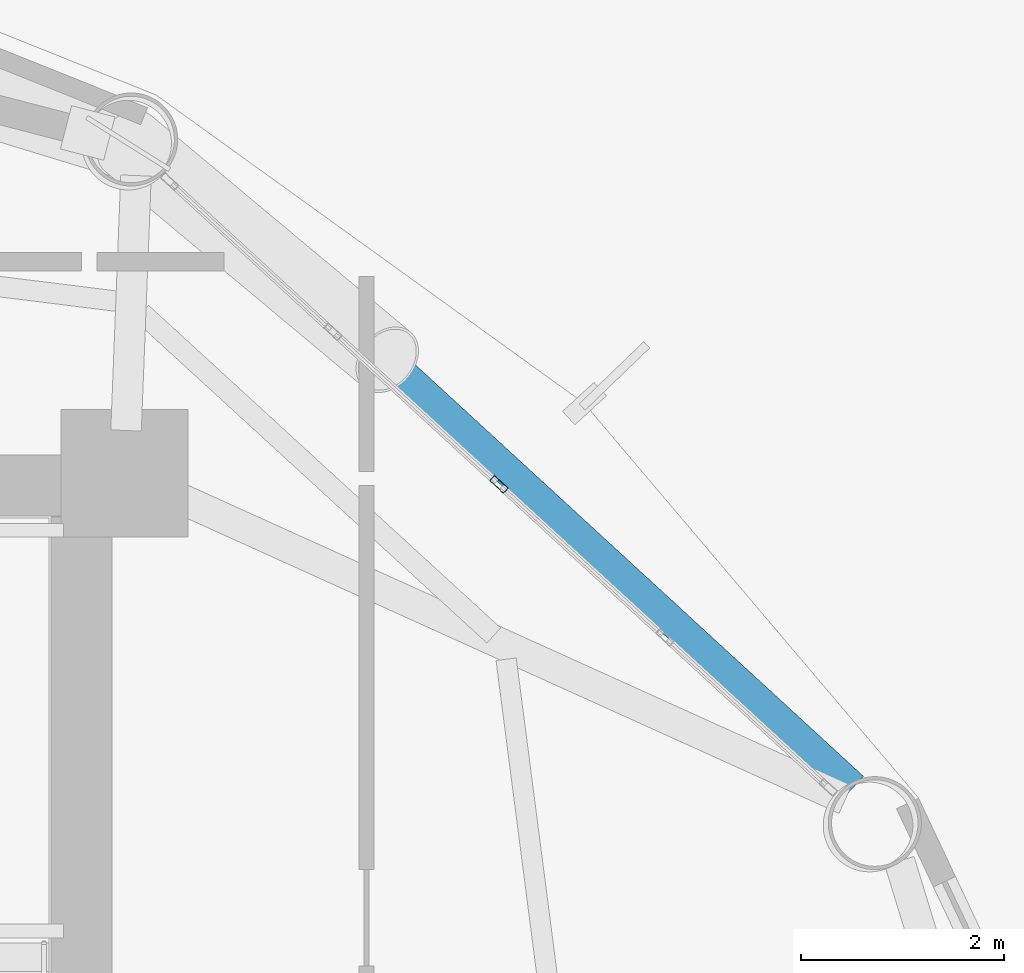
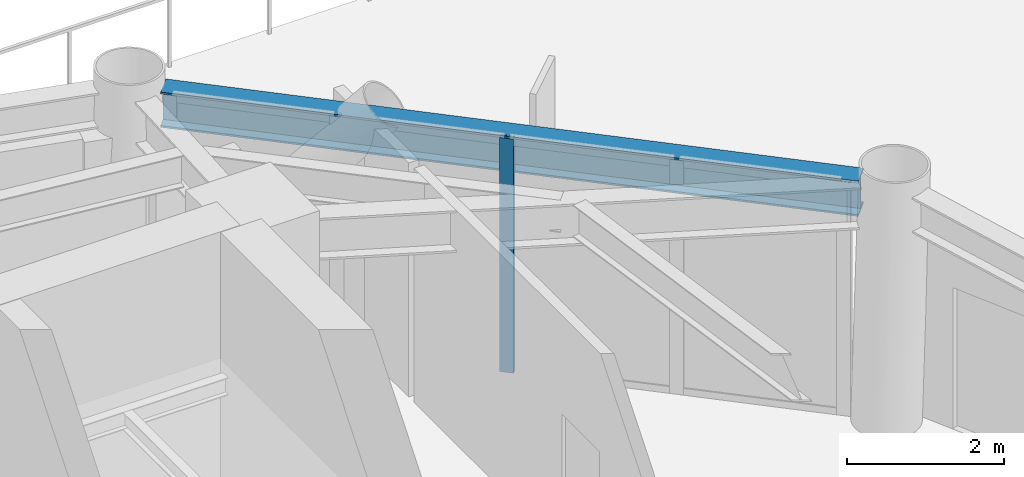
# One storey, part 18 of 24: 1 beam, 1 member, 1 element without a shape of its own.
"""IFC4 building model written with IfcOpenShell, lengths in metres."""

from ifc_helpers import new_model, si_unit, direction, frame, origin, origin_2d, place, context, subcontext, project, spatial, hollow_rectangle, i_section, extrude, material, layer, layer_set, material_profile, profile_set, type_object, element, aggregate, save


model = new_model("IFC4")

# Units and contexts
model_context = context("Model", 3, precision=1e-05, world=origin(), true_north=direction((0.0, 1.0)))
body_context = subcontext(model_context, "Body", "Model", "MODEL_VIEW")
ifc_project = project(units=[si_unit("LENGTHUNIT", "METRE"), si_unit("AREAUNIT", "SQUARE_METRE"), si_unit("VOLUMEUNIT", "CUBIC_METRE"), si_unit("PLANEANGLEUNIT", "RADIAN"), si_unit("MASSUNIT", "GRAM", prefix="KILO")], contexts=[model_context])

# Site, building, storey
site_placement = place(None, origin())
site = spatial("IfcSite", under=ifc_project, at=site_placement, CompositionType="ELEMENT")
building_placement = place(site_placement, origin())
building = spatial("IfcBuilding", under=site, at=building_placement, Name="Varnakorn Sky Granary", CompositionType="ELEMENT")
storey_placement = place(building_placement, frame((0.0, 0.0, 27.60009765625)))
storey = spatial("IfcBuildingStorey", under=building, at=storey_placement, Name="L06", CompositionType="ELEMENT", Elevation=27.60009765625)

# Beam
ifc_material_1 = material(Name="Steel S355JR", Category="steel")
ifc_material_profile_1 = material_profile(ifc_material_1, i_section(OverallWidth=0.300048828125, OverallDepth=0.550048828125, WebThickness=0.014892578125, FlangeThickness=0.029052734375, at=origin_2d()), Name="HE 550 B")
ifc_profile_set_1 = profile_set([ifc_material_profile_1], Name="Steel S355JR")
beam_type = type_object("IfcBeamType", Name="BM-SPD-Z1", PredefinedType="SPANDREL", material=ifc_profile_set_1)
beam_placement = place(storey_placement, frame((15.583984375, 9.529541015625, 3.364990234375), z_axis=(-0.736536158122, 0.676398172513, 0.0), x_axis=(-0.676398172513, -0.736536158122, 0.0)))
element("IfcBeam", 1, at=beam_placement, inside=storey, type_object=beam_type, Name="Perimeter Spandrel Ring Beam RB02 L06", PredefinedType="SPANDREL", context=body_context, shape_type="SweptSolid", body=[
    extrude(i_section(OverallWidth=0.300048828125, OverallDepth=0.550048828125, WebThickness=0.014892578125, FlangeThickness=0.029052734375, at=origin_2d()), origin(), (0.0, 0.0, 1.0), 9.10595703125),
])

# Curtain wall, member
ifc_material_2 = material(Name="Anodised Bronze Aluminium Alloy 6063-T6", Category="aluminium")
ifc_layer = layer(ifc_material_2, 0.18994140625, Name="Anodised Bronze Aluminium Alloy 6063-T6")
ifc_layer_set = layer_set([ifc_layer], Name="Anodised Bronze Aluminium Alloy 6063-T6")
curtain_wall_type = type_object("IfcCurtainWallType", Name="CW-FRM-1", PredefinedType="USERDEFINED", material=ifc_layer_set)
curtain_wall_placement = place(storey_placement, origin())
curtain_wall = element("IfcCurtainWall", 2, at=curtain_wall_placement, inside=storey, type_object=curtain_wall_type, Name="Unitised Curtain Wall CW3 CW-L06-B02", ObjectType="CURTAIN WALL", PredefinedType="USERDEFINED")
ifc_material_profile_2 = material_profile(ifc_material_2, hollow_rectangle(XDim=0.070068359375, YDim=0.18505859375, WallThickness=0.00390625, at=origin_2d()), Name="ALU MULL 70x185")
ifc_profile_set_2 = profile_set([ifc_material_profile_2], Name="Anodised Bronze Aluminium Alloy 6063-T6")
member_type = type_object("IfcMemberType", Name="CW-FRM-1-MULL", PredefinedType="MULLION", material=ifc_profile_set_2)
member_placement = place(storey_placement, frame((12.102294921875, 12.509521484375, 0.0), z_axis=(0.0, 0.0, 1.0), x_axis=(0.676914362354, 0.7360617814, 0.0)))
member = element("IfcMember", 3, at=member_placement, type_object=member_type, Name="CW3 mullion 3", PredefinedType="MULLION", context=body_context, shape_type="SweptSolid", body=[
    extrude(hollow_rectangle(XDim=0.070068359375, YDim=0.18505859375, WallThickness=0.00390625, at=origin_2d()), origin(), (0.0, 0.0, 1.0), 3.639892578125),
])
aggregate(curtain_wall, [member])

save(model, "model.ifc")
